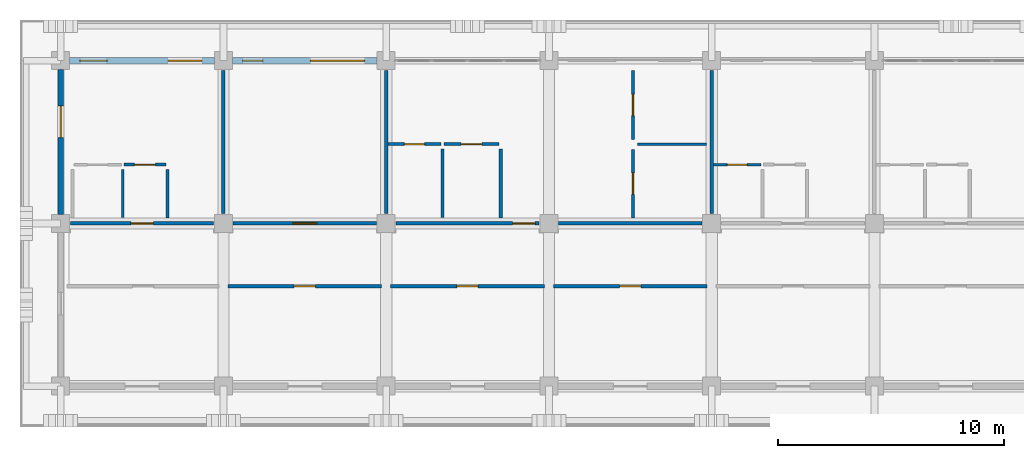
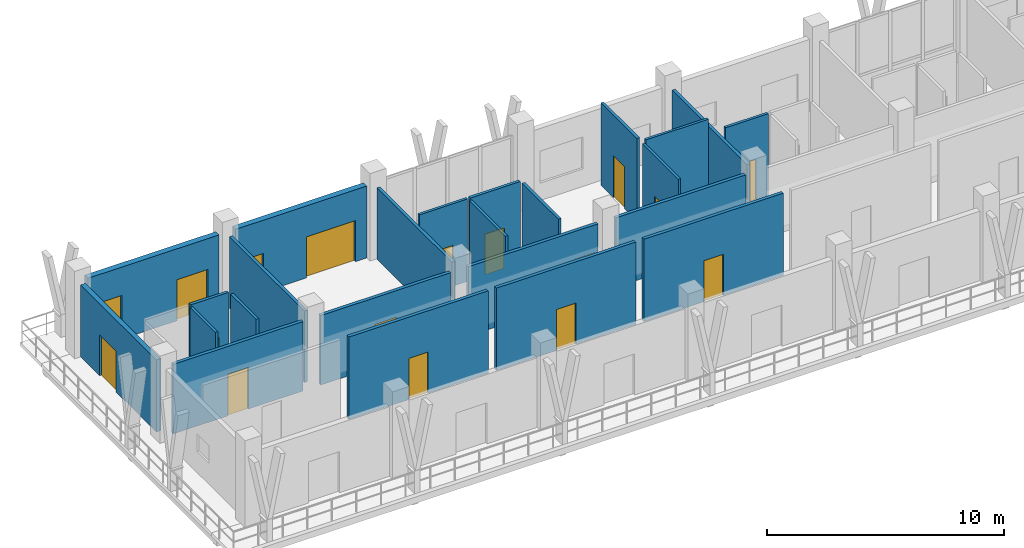
# One storey, part 73 of 110: 24 walls, 15 doors, 2 windows, 17 openings.
"""IFC4 building model written with IfcOpenShell, lengths in metres."""

from ifc_helpers import new_model, si_unit, direction, frame, frame_2d, origin, place, context, subcontext, project, spatial, rectangle, extrude, material, layer, layer_set, type_object, element, fill, save


model = new_model("IFC4")

# Units and contexts
model_context = context("Model", 3, precision=1e-05, world=origin(), true_north=direction((0.0, 1.0)))
body_context = subcontext(model_context, "Body", "Model", "MODEL_VIEW")
ifc_project = project(units=[si_unit("LENGTHUNIT", "METRE"), si_unit("AREAUNIT", "SQUARE_METRE"), si_unit("VOLUMEUNIT", "CUBIC_METRE"), si_unit("PLANEANGLEUNIT", "RADIAN"), si_unit("MASSUNIT", "GRAM", prefix="KILO")], contexts=[model_context])

# Site, building, storey
site_placement = place(None, origin())
site = spatial("IfcSite", under=ifc_project, at=site_placement, CompositionType="ELEMENT")
building_placement = place(site_placement, origin())
building = spatial("IfcBuilding", under=site, at=building_placement, Name="Suanplinth Sawtooth Commons", CompositionType="ELEMENT")
storey_placement = place(building_placement, frame((0.0, 0.0, 4.5)))
storey = spatial("IfcBuildingStorey", under=building, at=storey_placement, Name="L01", CompositionType="ELEMENT", Elevation=4.5)

# Wall, openings, door, window
ifc_material_1 = material(Name="Precast concrete C40/50", Category="concrete")
ifc_layer_1 = layer(ifc_material_1, 0.280029296875, Name="Insulated precast architectural facade wall 280mm")
ifc_layer_set_1 = layer_set([ifc_layer_1], Name="Precast concrete C40/50")
wall_type_1 = type_object("IfcWallType", Name="W-EX01", PredefinedType="ELEMENTEDWALL", material=ifc_layer_set_1)
wall_1_placement = place(storey_placement, frame((0.39990234375, 122.39990234375, 0.0), z_axis=(0.0, 0.0, 1.0), x_axis=(1.0, 0.0, 0.0)))
wall_1 = element("IfcWall", 1, at=wall_1_placement, inside=storey, type_object=wall_type_1, Name="Facade Wall W-L01-A-N-0", PredefinedType="ELEMENTEDWALL", context=body_context, shape_type="SweptSolid", body=[
    extrude(rectangle(XDim=6.400146484375, YDim=0.280029296875, at=frame_2d((3.2001953125, 0.0))), origin(), (0.0, 0.0, 1.0), 3.715087890625),
])
opening_1_placement = place(wall_1_placement, frame((4.35009765625, 0.0, 0.0)))
opening_1 = element("IfcOpeningElement", 2, at=opening_1_placement, cuts=wall_1, Name="Opening ED0039", PredefinedType="OPENING", context=body_context, shape_type="SweptSolid", body=[
    extrude(rectangle(XDim=1.5, YDim=2.1201171875, at=frame_2d((0.75, 1.06005859375))), frame((0.0, 0.15478515625, 0.0), z_axis=(0.0, -1.0, 0.0), x_axis=(1.0, 0.0, 0.0)), (0.0, 0.0, 1.0), 0.309814453125),
])
opening_2_placement = place(wall_1_placement, frame((0.449951171875, 0.0, 0.89990234375)))
opening_2 = element("IfcOpeningElement", 3, at=opening_2_placement, cuts=wall_1, Name="Opening W0168", PredefinedType="OPENING", context=body_context, shape_type="SweptSolid", body=[
    extrude(rectangle(XDim=1.199951171875, YDim=1.35009765625, at=frame_2d((0.60009765625, 0.675048828125))), frame((0.0, 0.15478515625, 0.0), z_axis=(0.0, -1.0, 0.0), x_axis=(1.0, 0.0, 0.0)), (0.0, 0.0, 1.0), 0.309814453125),
])
ifc_material_2 = material(Name="Anodized aluminium and low-E glass", Category="aluminium")
door_type_1 = type_object("IfcDoorType", Name="SD-03", OperationType="SLIDING_TO_LEFT", PredefinedType="DOOR", material=ifc_material_2)
door_1_placement = place(opening_1_placement, frame((1.5, 0.0, 0.0), z_axis=(0.0, 0.0, 1.0), x_axis=(-1.0, 0.0, 0.0)))
door_1 = element("IfcDoor", 4, at=door_1_placement, inside=storey, type_object=door_type_1, Name="Balcony Sliding Door L01-A-N-0", OperationType="SLIDING_TO_LEFT", OverallHeight=2.1201171875, OverallWidth=1.5, PredefinedType="DOOR", context=body_context, shape_type="SweptSolid", body=[
    extrude(rectangle(XDim=1.5, YDim=2.1201171875, at=frame_2d((0.75, 1.06005859375))), frame((0.0, 0.02490234375, 0.0), z_axis=(0.0, -1.0, 0.0), x_axis=(1.0, 0.0, 0.0)), (0.0, 0.0, 1.0), 0.050048828125),
])
fill(opening_1, door_1)
ifc_material_3 = material(Name="Thermally broken aluminium and low-E double glazing", Category="aluminium")
window_type_1 = type_object("IfcWindowType", Name="WN-03", PartitioningType="SINGLE_PANEL", PredefinedType="WINDOW", material=ifc_material_3)
window_1_placement = place(opening_2_placement, origin())
window_1 = element("IfcWindow", 5, at=window_1_placement, inside=storey, type_object=window_type_1, Name="Window L01-A-N-0", OverallHeight=1.35009765625, OverallWidth=1.199951171875, PartitioningType="SINGLE_PANEL", PredefinedType="WINDOW", context=body_context, shape_type="SweptSolid", body=[
    extrude(rectangle(XDim=1.199951171875, YDim=1.35009765625, at=frame_2d((0.60009765625, 0.675048828125))), frame((0.0, 0.030029296875, 0.0), z_axis=(0.0, -1.0, 0.0), x_axis=(1.0, 0.0, 0.0)), (0.0, 0.0, 1.0), 0.06005859375),
])
fill(opening_2, window_1)

wall_2_placement = place(storey_placement, frame((7.60009765625, 122.39990234375, 0.0), z_axis=(0.0, 0.0, 1.0), x_axis=(1.0, 0.0, 0.0)))
wall_2 = element("IfcWall", 6, at=wall_2_placement, inside=storey, type_object=wall_type_1, Name="Facade Wall W-L01-A-N-1", PredefinedType="ELEMENTEDWALL", context=body_context, shape_type="SweptSolid", body=[
    extrude(rectangle(XDim=6.39990234375, YDim=0.280029296875, at=frame_2d((3.199951171875, 0.0))), origin(), (0.0, 0.0, 1.0), 3.715087890625),
])
opening_3_placement = place(wall_2_placement, frame((3.449951171875, 0.0, 0.0)))
opening_3 = element("IfcOpeningElement", 7, at=opening_3_placement, cuts=wall_2, Name="Opening ED0041", PredefinedType="OPENING", context=body_context, shape_type="SweptSolid", body=[
    extrude(rectangle(XDim=2.39990234375, YDim=2.1201171875, at=frame_2d((1.199951171875, 1.06005859375))), frame((0.0, 0.15478515625, 0.0), z_axis=(0.0, -1.0, 0.0), x_axis=(1.0, 0.0, 0.0)), (0.0, 0.0, 1.0), 0.309814453125),
])
opening_4_placement = place(wall_2_placement, frame((0.449951171875, 0.0, 0.89990234375)))
opening_4 = element("IfcOpeningElement", 8, at=opening_4_placement, cuts=wall_2, Name="Opening W0169", PredefinedType="OPENING", context=body_context, shape_type="SweptSolid", body=[
    extrude(rectangle(XDim=0.89990234375, YDim=1.10009765625, at=frame_2d((0.449951171875, 0.550048828125))), frame((0.0, 0.15478515625, 0.0), z_axis=(0.0, -1.0, 0.0), x_axis=(1.0, 0.0, 0.0)), (0.0, 0.0, 1.0), 0.309814453125),
])
door_type_2 = type_object("IfcDoorType", Name="SD-04", OperationType="DOUBLE_DOOR_SLIDING", PredefinedType="DOOR", material=ifc_material_2)
door_2_placement = place(opening_3_placement, frame((2.39990234375, 0.0, 0.0), z_axis=(0.0, 0.0, 1.0), x_axis=(-1.0, 0.0, 0.0)))
door_2 = element("IfcDoor", 9, at=door_2_placement, inside=storey, type_object=door_type_2, Name="Balcony Sliding Door L01-A-N-1", OperationType="DOUBLE_DOOR_SLIDING", OverallHeight=2.1201171875, OverallWidth=2.39990234375, PredefinedType="DOOR", context=body_context, shape_type="SweptSolid", body=[
    extrude(rectangle(XDim=2.39990234375, YDim=2.1201171875, at=frame_2d((1.199951171875, 1.06005859375))), frame((0.0, 0.02490234375, 0.0), z_axis=(0.0, -1.0, 0.0), x_axis=(1.0, 0.0, 0.0)), (0.0, 0.0, 1.0), 0.050048828125),
])
fill(opening_3, door_2)
window_type_2 = type_object("IfcWindowType", Name="WN-04", PartitioningType="SINGLE_PANEL", PredefinedType="WINDOW", material=ifc_material_3)
window_2_placement = place(opening_4_placement, origin())
window_2 = element("IfcWindow", 10, at=window_2_placement, inside=storey, type_object=window_type_2, Name="Window L01-A-N-1", OverallHeight=1.10009765625, OverallWidth=0.89990234375, PartitioningType="SINGLE_PANEL", PredefinedType="WINDOW", context=body_context, shape_type="SweptSolid", body=[
    extrude(rectangle(XDim=0.89990234375, YDim=1.10009765625, at=frame_2d((0.449951171875, 0.550048828125))), frame((0.0, 0.030029296875, 0.0), z_axis=(0.0, -1.0, 0.0), x_axis=(1.0, 0.0, 0.0)), (0.0, 0.0, 1.0), 0.06005859375),
])
fill(opening_4, window_2)

# Wall, opening, door
ifc_layer_2 = layer(ifc_material_1, 0.22998046875, Name="Stepped terrace insulated precast wall 230mm")
ifc_layer_set_2 = layer_set([ifc_layer_2], Name="Precast concrete C40/50")
wall_type_2 = type_object("IfcWallType", Name="W-EX06", PredefinedType="ELEMENTEDWALL", material=ifc_layer_set_2)
wall_3_placement = place(storey_placement, frame((0.0, 115.60009765625, 0.0), z_axis=(0.0, 0.0, 1.0), x_axis=(0.0, 1.0, 0.0)))
wall_3 = element("IfcWall", 11, at=wall_3_placement, inside=storey, type_object=wall_type_2, Name="End Wall W-L01-A-W-16", PredefinedType="ELEMENTEDWALL", context=body_context, shape_type="SweptSolid", body=[
    extrude(rectangle(XDim=6.39990234375, YDim=0.22998046875, at=frame_2d((3.199951171875, 0.0))), origin(), (0.0, 0.0, 1.0), 3.715087890625),
])
opening_5_placement = place(wall_3_placement, frame((3.39990234375, 0.0, 0.0)))
opening_5 = element("IfcOpeningElement", 12, at=opening_5_placement, cuts=wall_3, Name="Opening ED0063", PredefinedType="OPENING", context=body_context, shape_type="SweptSolid", body=[
    extrude(rectangle(XDim=1.39990234375, YDim=2.10009765625, at=frame_2d((0.699951171875, 1.050048828125))), frame((0.0, 0.1298828125, 0.0), z_axis=(0.0, -1.0, 0.0), x_axis=(1.0, 0.0, 0.0)), (0.0, 0.0, 1.0), 0.259765625),
])
door_type_3 = type_object("IfcDoorType", Name="SD-07", OperationType="SLIDING_TO_RIGHT", PredefinedType="DOOR", material=ifc_material_2)
door_3_placement = place(opening_5_placement, frame((1.39990234375, 0.0, 0.0), z_axis=(0.0, 0.0, 1.0), x_axis=(-1.0, 0.0, 0.0)))
door_3 = element("IfcDoor", 13, at=door_3_placement, inside=storey, type_object=door_type_3, Name="L01 Block A W End Balcony Door", OperationType="SLIDING_TO_RIGHT", OverallHeight=2.10009765625, OverallWidth=1.39990234375, PredefinedType="DOOR", context=body_context, shape_type="SweptSolid", body=[
    extrude(rectangle(XDim=1.39990234375, YDim=2.10009765625, at=frame_2d((0.699951171875, 1.050048828125))), frame((0.0, 0.02490234375, 0.0), z_axis=(0.0, -1.0, 0.0), x_axis=(1.0, 0.0, 0.0)), (0.0, 0.0, 1.0), 0.050048828125),
])
fill(opening_5, door_3)

ifc_layer_3 = layer(ifc_material_1, 0.159912109375, Name="Fire-rated corridor and lobby wall 160mm")
ifc_layer_set_3 = layer_set([ifc_layer_3], Name="Precast concrete C40/50")
wall_type_3 = type_object("IfcWallType", Name="W-FW01", PredefinedType="PARTITIONING", material=ifc_layer_set_3)
wall_4_placement = place(storey_placement, frame((0.429931640625, 115.199951171875, 0.0), z_axis=(0.0, 0.0, 1.0), x_axis=(1.0, 0.0, 0.0)))
wall_4 = element("IfcWall", 14, at=wall_4_placement, inside=storey, type_object=wall_type_3, Name="W-A-L01-U01-COR", PredefinedType="PARTITIONING", context=body_context, shape_type="SweptSolid", body=[
    extrude(rectangle(XDim=6.340087890625, YDim=0.159912109375, at=frame_2d((3.169921875, 0.0))), origin(), (0.0, 0.0, 1.0), 3.5849609375),
])
opening_6_placement = place(wall_4_placement, frame((2.669921875, 0.0, 0.0)))
opening_6 = element("IfcOpeningElement", 15, at=opening_6_placement, cuts=wall_4, Name="Opening FD0524", PredefinedType="OPENING", context=body_context, shape_type="SweptSolid", body=[
    extrude(rectangle(XDim=1.0, YDim=2.14990234375, at=frame_2d((0.5, 1.074951171875))), frame((0.0, 0.0947265625, 0.0), z_axis=(0.0, -1.0, 0.0), x_axis=(1.0, 0.0, 0.0)), (0.0, 0.0, 1.0), 0.189697265625),
])
ifc_material_4 = material(Name="Teak hardwood fire-rated door assembly", Category="wood")
door_type_4 = type_object("IfcDoorType", Name="FD-03", OperationType="NOTDEFINED", PredefinedType="DOOR", material=ifc_material_4)
door_4_placement = place(opening_6_placement, origin())
door_4 = element("IfcDoor", 16, at=door_4_placement, inside=storey, type_object=door_type_4, Name="Unit Entrance Door FD0524", OperationType="SINGLE_SWING_RIGHT", OverallHeight=2.14990234375, OverallWidth=1.0, PredefinedType="DOOR", context=body_context, shape_type="SweptSolid", body=[
    extrude(rectangle(XDim=1.0, YDim=2.14990234375, at=frame_2d((0.5, 1.074951171875))), frame((0.0, 0.02490234375, 0.0), z_axis=(0.0, -1.0, 0.0), x_axis=(1.0, 0.0, 0.0)), (0.0, 0.0, 1.0), 0.050048828125),
])
fill(opening_6, door_4)

wall_5_placement = place(storey_placement, frame((7.6298828125, 115.199951171875, 0.0), z_axis=(0.0, 0.0, 1.0), x_axis=(1.0, 0.0, 0.0)))
wall_5 = element("IfcWall", 17, at=wall_5_placement, inside=storey, type_object=wall_type_3, Name="W-A-L01-U02-COR", PredefinedType="PARTITIONING", context=body_context, shape_type="SweptSolid", body=[
    extrude(rectangle(XDim=6.340087890625, YDim=0.159912109375, at=frame_2d((3.169921875, 0.0))), origin(), (0.0, 0.0, 1.0), 3.5849609375),
])
opening_7_placement = place(wall_5_placement, frame((2.64501953125, 0.0, 0.0)))
opening_7 = element("IfcOpeningElement", 18, at=opening_7_placement, cuts=wall_5, Name="Opening D0527", PredefinedType="OPENING", context=body_context, shape_type="SweptSolid", body=[
    extrude(rectangle(XDim=1.050048828125, YDim=2.199951171875, at=frame_2d((0.52490234375, 1.10009765625))), frame((0.0, 0.0947265625, 0.0), z_axis=(0.0, -1.0, 0.0), x_axis=(1.0, 0.0, 0.0)), (0.0, 0.0, 1.0), 0.189697265625),
])
ifc_material_5 = material(Name="Teak hardwood", Category="wood")
door_type_5 = type_object("IfcDoorType", Name="D-05", OperationType="NOTDEFINED", PredefinedType="DOOR", material=ifc_material_5)
door_5_placement = place(opening_7_placement, origin())
door_5 = element("IfcDoor", 19, at=door_5_placement, inside=storey, type_object=door_type_5, Name="Unit Entrance Door D0527", OperationType="SINGLE_SWING_LEFT", OverallHeight=2.199951171875, OverallWidth=1.050048828125, PredefinedType="DOOR", context=body_context, shape_type="SweptSolid", body=[
    extrude(rectangle(XDim=1.050048828125, YDim=2.199951171875, at=frame_2d((0.52490234375, 1.10009765625))), frame((0.0, 0.02490234375, 0.0), z_axis=(0.0, -1.0, 0.0), x_axis=(1.0, 0.0, 0.0)), (0.0, 0.0, 1.0), 0.050048828125),
])
fill(opening_7, door_5)

wall_6_placement = place(storey_placement, frame((14.830078125, 115.199951171875, 0.0), z_axis=(0.0, 0.0, 1.0), x_axis=(1.0, 0.0, 0.0)))
wall_6 = element("IfcWall", 20, at=wall_6_placement, inside=storey, type_object=wall_type_3, Name="W-A-L01-U03-COR-S1", PredefinedType="PARTITIONING", context=body_context, shape_type="SweptSolid", body=[
    extrude(rectangle(XDim=6.33984375, YDim=0.159912109375, at=frame_2d((3.169921875, 0.0))), origin(), (0.0, 0.0, 1.0), 3.5849609375),
])
opening_8_placement = place(wall_6_placement, frame((5.159912109375, 0.0, 0.0)))
opening_8 = element("IfcOpeningElement", 21, at=opening_8_placement, cuts=wall_6, Name="Opening FD0528", PredefinedType="OPENING", context=body_context, shape_type="SweptSolid", body=[
    extrude(rectangle(XDim=1.0, YDim=2.14990234375, at=frame_2d((0.5, 1.074951171875))), frame((0.0, 0.0947265625, 0.0), z_axis=(0.0, -1.0, 0.0), x_axis=(1.0, 0.0, 0.0)), (0.0, 0.0, 1.0), 0.189697265625),
])
door_6_placement = place(opening_8_placement, origin())
door_6 = element("IfcDoor", 22, at=door_6_placement, inside=storey, type_object=door_type_4, Name="Unit Entrance Door FD0528", OperationType="SINGLE_SWING_RIGHT", OverallHeight=2.14990234375, OverallWidth=1.0, PredefinedType="DOOR", context=body_context, shape_type="SweptSolid", body=[
    extrude(rectangle(XDim=1.0, YDim=2.14990234375, at=frame_2d((0.5, 1.074951171875))), frame((0.0, 0.02490234375, 0.0), z_axis=(0.0, -1.0, 0.0), x_axis=(1.0, 0.0, 0.0)), (0.0, 0.0, 1.0), 0.050048828125),
])
fill(opening_8, door_6)

# Wall
wall_7_placement = place(storey_placement, frame((22.030029296875, 115.199951171875, 0.0), z_axis=(0.0, 0.0, 1.0), x_axis=(1.0, 0.0, 0.0)))
element("IfcWall", 23, at=wall_7_placement, inside=storey, type_object=wall_type_3, Name="W-A-L01-U03-COR-S2", PredefinedType="PARTITIONING", context=body_context, shape_type="SweptSolid", body=[
    extrude(rectangle(XDim=6.340087890625, YDim=0.159912109375, at=frame_2d((3.169921875, 0.0))), origin(), (0.0, 0.0, 1.0), 3.5849609375),
])

# Wall, opening, door
wall_8_placement = place(storey_placement, frame((7.39990234375, 112.419921875, 0.0), z_axis=(0.0, 0.0, 1.0), x_axis=(1.0, 0.0, 0.0)))
wall_8 = element("IfcWall", 24, at=wall_8_placement, inside=storey, type_object=wall_type_3, Name="W-A-L01-COURTROOM-14-COR", PredefinedType="PARTITIONING", context=body_context, shape_type="SweptSolid", body=[
    extrude(rectangle(XDim=6.800048828125, YDim=0.159912109375, at=frame_2d((3.39990234375, 0.0))), origin(), (0.0, 0.0, 1.0), 4.25),
])
opening_9_placement = place(wall_8_placement, frame((2.929931640625, 0.0, 0.0)))
opening_9 = element("IfcOpeningElement", 25, at=opening_9_placement, cuts=wall_8, Name="Opening D0568", PredefinedType="OPENING", context=body_context, shape_type="SweptSolid", body=[
    extrude(rectangle(XDim=0.93994140625, YDim=2.1201171875, at=frame_2d((0.469970703125, 1.06005859375))), frame((0.0, 0.0947265625, 0.0), z_axis=(0.0, -1.0, 0.0), x_axis=(1.0, 0.0, 0.0)), (0.0, 0.0, 1.0), 0.189697265625),
])
door_type_6 = type_object("IfcDoorType", Name="D-15", OperationType="NOTDEFINED", PredefinedType="DOOR", material=ifc_material_5)
door_7_placement = place(opening_9_placement, frame((0.93994140625, 0.0, 0.0), z_axis=(0.0, 0.0, 1.0), x_axis=(-1.0, 0.0, 0.0)))
door_7 = element("IfcDoor", 26, at=door_7_placement, inside=storey, type_object=door_type_6, Name="Study Studio Door D0568", OperationType="SINGLE_SWING_RIGHT", OverallHeight=2.1201171875, OverallWidth=0.93994140625, PredefinedType="DOOR", context=body_context, shape_type="SweptSolid", body=[
    extrude(rectangle(XDim=0.93994140625, YDim=2.1201171875, at=frame_2d((0.469970703125, 1.06005859375))), frame((0.0, 0.02490234375, 0.0), z_axis=(0.0, -1.0, 0.0), x_axis=(1.0, 0.0, 0.0)), (0.0, 0.0, 1.0), 0.050048828125),
])
fill(opening_9, door_7)

wall_9_placement = place(storey_placement, frame((14.60009765625, 112.419921875, 0.0), z_axis=(0.0, 0.0, 1.0), x_axis=(1.0, 0.0, 0.0)))
wall_9 = element("IfcWall", 27, at=wall_9_placement, inside=storey, type_object=wall_type_3, Name="W-A-L01-COURTROOM-15-COR", PredefinedType="PARTITIONING", context=body_context, shape_type="SweptSolid", body=[
    extrude(rectangle(XDim=6.7998046875, YDim=0.159912109375, at=frame_2d((3.39990234375, 0.0))), origin(), (0.0, 0.0, 1.0), 4.25),
])
opening_10_placement = place(wall_9_placement, frame((2.929931640625, 0.0, 0.0)))
opening_10 = element("IfcOpeningElement", 28, at=opening_10_placement, cuts=wall_9, Name="Opening D0569", PredefinedType="OPENING", context=body_context, shape_type="SweptSolid", body=[
    extrude(rectangle(XDim=0.93994140625, YDim=2.1201171875, at=frame_2d((0.469970703125, 1.06005859375))), frame((0.0, 0.0947265625, 0.0), z_axis=(0.0, -1.0, 0.0), x_axis=(1.0, 0.0, 0.0)), (0.0, 0.0, 1.0), 0.189697265625),
])
door_8_placement = place(opening_10_placement, frame((0.93994140625, 0.0, 0.0), z_axis=(0.0, 0.0, 1.0), x_axis=(-1.0, 0.0, 0.0)))
door_8 = element("IfcDoor", 29, at=door_8_placement, inside=storey, type_object=door_type_6, Name="Study Studio Door D0569", OperationType="SINGLE_SWING_LEFT", OverallHeight=2.1201171875, OverallWidth=0.93994140625, PredefinedType="DOOR", context=body_context, shape_type="SweptSolid", body=[
    extrude(rectangle(XDim=0.93994140625, YDim=2.1201171875, at=frame_2d((0.469970703125, 1.06005859375))), frame((0.0, 0.02490234375, 0.0), z_axis=(0.0, -1.0, 0.0), x_axis=(1.0, 0.0, 0.0)), (0.0, 0.0, 1.0), 0.050048828125),
])
fill(opening_10, door_8)

wall_10_placement = place(storey_placement, frame((21.800048828125, 112.419921875, 0.0), z_axis=(0.0, 0.0, 1.0), x_axis=(1.0, 0.0, 0.0)))
wall_10 = element("IfcWall", 30, at=wall_10_placement, inside=storey, type_object=wall_type_3, Name="W-A-L01-COURTROOM-16-COR", PredefinedType="PARTITIONING", context=body_context, shape_type="SweptSolid", body=[
    extrude(rectangle(XDim=6.800048828125, YDim=0.159912109375, at=frame_2d((3.39990234375, 0.0))), origin(), (0.0, 0.0, 1.0), 4.25),
])
opening_11_placement = place(wall_10_placement, frame((2.929931640625, 0.0, 0.0)))
opening_11 = element("IfcOpeningElement", 31, at=opening_11_placement, cuts=wall_10, Name="Opening D0570", PredefinedType="OPENING", context=body_context, shape_type="SweptSolid", body=[
    extrude(rectangle(XDim=0.93994140625, YDim=2.1201171875, at=frame_2d((0.469970703125, 1.06005859375))), frame((0.0, 0.0947265625, 0.0), z_axis=(0.0, -1.0, 0.0), x_axis=(1.0, 0.0, 0.0)), (0.0, 0.0, 1.0), 0.189697265625),
])
door_9_placement = place(opening_11_placement, frame((0.93994140625, 0.0, 0.0), z_axis=(0.0, 0.0, 1.0), x_axis=(-1.0, 0.0, 0.0)))
door_9 = element("IfcDoor", 32, at=door_9_placement, inside=storey, type_object=door_type_6, Name="Study Studio Door D0570", OperationType="SINGLE_SWING_RIGHT", OverallHeight=2.1201171875, OverallWidth=0.93994140625, PredefinedType="DOOR", context=body_context, shape_type="SweptSolid", body=[
    extrude(rectangle(XDim=0.93994140625, YDim=2.1201171875, at=frame_2d((0.469970703125, 1.06005859375))), frame((0.0, 0.02490234375, 0.0), z_axis=(0.0, -1.0, 0.0), x_axis=(1.0, 0.0, 0.0)), (0.0, 0.0, 1.0), 0.050048828125),
])
fill(opening_11, door_9)

# Walls
ifc_layer_4 = layer(ifc_material_1, 0.14990234375, Name="Acoustic precast party demising wall 150mm")
ifc_layer_set_4 = layer_set([ifc_layer_4], Name="Precast concrete C40/50")
wall_type_4 = type_object("IfcWallType", Name="W-FW02", PredefinedType="PARTITIONING", material=ifc_layer_set_4)
for number, where, z_axis, x_axis, name in (
    (33, (7.199951171875, 115.6298828125, 0.0), (0.0, 0.0, 1.0), (0.0, 1.0, 0.0), "W-A-L01-U01-PTY"),
    (34, (14.39990234375, 115.6298828125, 0.0), (0.0, 0.0, 1.0), (0.0, 1.0, 0.0), "W-A-L01-U02-PTY"),
    (35, (28.800048828125, 115.6298828125, 0.0), (0.0, 0.0, 1.0), (0.0, 1.0, 0.0), "W-A-L01-U03-PTY"),
):
    element("IfcWall", number, at=place(storey_placement, frame(where, z_axis=z_axis, x_axis=x_axis)), inside=storey, type_object=wall_type_4, Name=name, PredefinedType="PARTITIONING", context=body_context, shape_type="SweptSolid", body=[
        extrude(rectangle(XDim=6.340087890625, YDim=0.14990234375, at=frame_2d((3.169921875, 0.0))), origin(), (0.0, 0.0, 1.0), 3.68505859375),
    ])

# Wall, opening, door
ifc_material_6 = material(Name="Gypsum plasterboard on steel stud", Category="steel")
ifc_layer_5 = layer(ifc_material_6, 0.139892578125, Name="Fire-rated kitchen partition 140mm")
ifc_layer_set_5 = layer_set([ifc_layer_5], Name="Gypsum plasterboard on steel stud")
wall_type_5 = type_object("IfcWallType", Name="W-PT01", PredefinedType="PARTITIONING", material=ifc_layer_set_5)
wall_11_placement = place(storey_placement, frame((2.800048828125, 117.800048828125, 0.0), z_axis=(0.0, 0.0, 1.0), x_axis=(1.0, 0.0, 0.0)))
wall_11 = element("IfcWall", 36, at=wall_11_placement, inside=storey, type_object=wall_type_5, Name="W-A-L01-U01-KIT1", PredefinedType="PARTITIONING", context=body_context, shape_type="SweptSolid", body=[
    extrude(rectangle(XDim=1.849853515625, YDim=0.139892578125, at=frame_2d((0.9248046875, 0.0))), origin(), (0.0, 0.0, 1.0), 4.25),
])
opening_12_placement = place(wall_11_placement, frame((0.465087890625, 0.0, 0.0)))
opening_12 = element("IfcOpeningElement", 37, at=opening_12_placement, cuts=wall_11, Name="Opening D0526", PredefinedType="OPENING", context=body_context, shape_type="SweptSolid", body=[
    extrude(rectangle(XDim=0.919921875, YDim=2.10009765625, at=frame_2d((0.4599609375, 1.050048828125))), frame((0.0, 0.0849609375, 0.0), z_axis=(0.0, -1.0, 0.0), x_axis=(1.0, 0.0, 0.0)), (0.0, 0.0, 1.0), 0.169677734375),
])
door_type_7 = type_object("IfcDoorType", Name="D-02", OperationType="NOTDEFINED", PredefinedType="DOOR", material=ifc_material_5)
door_10_placement = place(opening_12_placement, frame((0.919921875, 0.0, 0.0), z_axis=(0.0, 0.0, 1.0), x_axis=(-1.0, 0.0, 0.0)))
door_10 = element("IfcDoor", 38, at=door_10_placement, inside=storey, type_object=door_type_7, Name="Kitchen Door D0526", OperationType="SINGLE_SWING_RIGHT", OverallHeight=2.10009765625, OverallWidth=0.919921875, PredefinedType="DOOR", context=body_context, shape_type="SweptSolid", body=[
    extrude(rectangle(XDim=0.919921875, YDim=2.10009765625, at=frame_2d((0.4599609375, 1.050048828125))), frame((0.0, 0.02490234375, 0.0), z_axis=(0.0, -1.0, 0.0), x_axis=(1.0, 0.0, 0.0)), (0.0, 0.0, 1.0), 0.050048828125),
])
fill(opening_12, door_10)

# Wall
wall_12_placement = place(storey_placement, frame((4.719970703125, 115.429931640625, 0.0), z_axis=(0.0, 0.0, 1.0), x_axis=(0.0, 1.0, 0.0)))
element("IfcWall", 39, at=wall_12_placement, inside=storey, type_object=wall_type_5, Name="W-A-L01-U01-KIT2", PredefinedType="PARTITIONING", context=body_context, shape_type="SweptSolid", body=[
    extrude(rectangle(XDim=2.150146484375, YDim=0.139892578125, at=frame_2d((1.0751953125, 0.0))), origin(), (0.0, 0.0, 1.0), 4.25),
])

# Wall, opening, door
wall_13_placement = place(storey_placement, frame((16.949951171875, 118.7099609375, 0.0), z_axis=(0.0, 0.0, 1.0), x_axis=(1.0, 0.0, 0.0)))
wall_13 = element("IfcWall", 40, at=wall_13_placement, inside=storey, type_object=wall_type_5, Name="W-A-L01-U03-KIT1", PredefinedType="PARTITIONING", context=body_context, shape_type="SweptSolid", body=[
    extrude(rectangle(XDim=2.449951171875, YDim=0.139892578125, at=frame_2d((1.22509765625, 0.0))), origin(), (0.0, 0.0, 1.0), 4.25),
])
opening_13_placement = place(wall_13_placement, frame((0.764892578125, 0.0, 0.0)))
opening_13 = element("IfcOpeningElement", 41, at=opening_13_placement, cuts=wall_13, Name="Opening D0530", PredefinedType="OPENING", context=body_context, shape_type="SweptSolid", body=[
    extrude(rectangle(XDim=0.919921875, YDim=2.10009765625, at=frame_2d((0.4599609375, 1.050048828125))), frame((0.0, 0.0849609375, 0.0), z_axis=(0.0, -1.0, 0.0), x_axis=(1.0, 0.0, 0.0)), (0.0, 0.0, 1.0), 0.169677734375),
])
door_11_placement = place(opening_13_placement, frame((0.919921875, 0.0, 0.0), z_axis=(0.0, 0.0, 1.0), x_axis=(-1.0, 0.0, 0.0)))
door_11 = element("IfcDoor", 42, at=door_11_placement, inside=storey, type_object=door_type_7, Name="Kitchen Door D0530", OperationType="SINGLE_SWING_RIGHT", OverallHeight=2.10009765625, OverallWidth=0.919921875, PredefinedType="DOOR", context=body_context, shape_type="SweptSolid", body=[
    extrude(rectangle(XDim=0.919921875, YDim=2.10009765625, at=frame_2d((0.4599609375, 1.050048828125))), frame((0.0, 0.02490234375, 0.0), z_axis=(0.0, -1.0, 0.0), x_axis=(1.0, 0.0, 0.0)), (0.0, 0.0, 1.0), 0.050048828125),
])
fill(opening_13, door_11)

# Walls
wall_14_placement = place(storey_placement, frame((19.469970703125, 115.429931640625, 0.0), z_axis=(0.0, 0.0, 1.0), x_axis=(0.0, 1.0, 0.0)))
element("IfcWall", 43, at=wall_14_placement, inside=storey, type_object=wall_type_5, Name="W-A-L01-U03-KIT2", PredefinedType="PARTITIONING", context=body_context, shape_type="SweptSolid", body=[
    extrude(rectangle(XDim=3.06005859375, YDim=0.139892578125, at=frame_2d((1.530029296875, 0.0))), origin(), (0.0, 0.0, 1.0), 4.25),
])
ifc_layer_6 = layer(ifc_material_6, 0.1298828125, Name="Moisture-resistant bathroom partition 130mm")
ifc_layer_set_6 = layer_set([ifc_layer_6], Name="Gypsum plasterboard on steel stud")
wall_type_6 = type_object("IfcWallType", Name="W-PT02", PredefinedType="PARTITIONING", material=ifc_layer_set_6)
wall_15_placement = place(storey_placement, frame((2.7451171875, 115.4599609375, 0.0), z_axis=(0.0, 0.0, 1.0), x_axis=(0.0, 1.0, 0.0)))
element("IfcWall", 44, at=wall_15_placement, inside=storey, type_object=wall_type_6, Name="W-A-L01-U01-BTH2", PredefinedType="PARTITIONING", context=body_context, shape_type="SweptSolid", body=[
    extrude(rectangle(XDim=2.130126953125, YDim=0.1298828125, at=frame_2d((1.06494140625, 0.0))), origin(), (0.0, 0.0, 1.0), 4.25),
])

# Wall, opening, door
wall_16_placement = place(storey_placement, frame((14.47998046875, 118.705078125, 0.0), z_axis=(0.0, 0.0, 1.0), x_axis=(1.0, 0.0, 0.0)))
wall_16 = element("IfcWall", 45, at=wall_16_placement, inside=storey, type_object=wall_type_6, Name="W-A-L01-U03-BTH1", PredefinedType="PARTITIONING", context=body_context, shape_type="SweptSolid", body=[
    extrude(rectangle(XDim=2.35009765625, YDim=0.1298828125, at=frame_2d((1.175048828125, 0.0))), origin(), (0.0, 0.0, 1.0), 4.25),
])
opening_14_placement = place(wall_16_placement, frame((0.72509765625, 0.0, 0.0)))
opening_14 = element("IfcOpeningElement", 46, at=opening_14_placement, cuts=wall_16, Name="Opening D0529", PredefinedType="OPENING", context=body_context, shape_type="SweptSolid", body=[
    extrude(rectangle(XDim=0.89990234375, YDim=2.10009765625, at=frame_2d((0.449951171875, 1.050048828125))), frame((0.0, 0.079833984375, 0.0), z_axis=(0.0, -1.0, 0.0), x_axis=(1.0, 0.0, 0.0)), (0.0, 0.0, 1.0), 0.15966796875),
])
door_type_8 = type_object("IfcDoorType", Name="D-01", OperationType="NOTDEFINED", PredefinedType="DOOR", material=ifc_material_5)
door_12_placement = place(opening_14_placement, frame((0.89990234375, 0.0, 0.0), z_axis=(0.0, 0.0, 1.0), x_axis=(-1.0, 0.0, 0.0)))
door_12 = element("IfcDoor", 47, at=door_12_placement, inside=storey, type_object=door_type_8, Name="Bathroom Door D0529", OperationType="SINGLE_SWING_LEFT", OverallHeight=2.10009765625, OverallWidth=0.89990234375, PredefinedType="DOOR", context=body_context, shape_type="SweptSolid", body=[
    extrude(rectangle(XDim=0.89990234375, YDim=2.10009765625, at=frame_2d((0.449951171875, 1.050048828125))), frame((0.0, 0.02490234375, 0.0), z_axis=(0.0, -1.0, 0.0), x_axis=(1.0, 0.0, 0.0)), (0.0, 0.0, 1.0), 0.050048828125),
])
fill(opening_14, door_12)

# Wall
wall_17_placement = place(storey_placement, frame((16.89501953125, 115.4599609375, 0.0), z_axis=(0.0, 0.0, 1.0), x_axis=(0.0, 1.0, 0.0)))
element("IfcWall", 48, at=wall_17_placement, inside=storey, type_object=wall_type_6, Name="W-A-L01-U03-BTH2", PredefinedType="PARTITIONING", context=body_context, shape_type="SweptSolid", body=[
    extrude(rectangle(XDim=3.0400390625, YDim=0.1298828125, at=frame_2d((1.52001953125, 0.0))), origin(), (0.0, 0.0, 1.0), 4.25),
])

# Wall, opening, door
wall_18_placement = place(storey_placement, frame((28.8798828125, 117.794921875, 0.0), z_axis=(0.0, 0.0, 1.0), x_axis=(1.0, 0.0, 0.0)))
wall_18 = element("IfcWall", 49, at=wall_18_placement, inside=storey, type_object=wall_type_6, Name="W-A-L01-U04-BTH1", PredefinedType="PARTITIONING", context=body_context, shape_type="SweptSolid", body=[
    extrude(rectangle(XDim=2.10009765625, YDim=0.1298828125, at=frame_2d((1.050048828125, 0.0))), origin(), (0.0, 0.0, 1.0), 4.25),
])
opening_15_placement = place(wall_18_placement, frame((0.610107421875, 0.0, 0.0)))
opening_15 = element("IfcOpeningElement", 50, at=opening_15_placement, cuts=wall_18, Name="Opening D0534", PredefinedType="OPENING", context=body_context, shape_type="SweptSolid", body=[
    extrude(rectangle(XDim=0.8798828125, YDim=2.10009765625, at=frame_2d((0.43994140625, 1.050048828125))), frame((0.0, 0.079833984375, 0.0), z_axis=(0.0, -1.0, 0.0), x_axis=(1.0, 0.0, 0.0)), (0.0, 0.0, 1.0), 0.15966796875),
])
door_type_9 = type_object("IfcDoorType", Name="D-14", OperationType="NOTDEFINED", PredefinedType="DOOR", material=ifc_material_5)
door_13_placement = place(opening_15_placement, frame((0.8798828125, 0.0, 0.0), z_axis=(0.0, 0.0, 1.0), x_axis=(-1.0, 0.0, 0.0)))
door_13 = element("IfcDoor", 51, at=door_13_placement, inside=storey, type_object=door_type_9, Name="Bathroom Door D0534", OperationType="SINGLE_SWING_RIGHT", OverallHeight=2.10009765625, OverallWidth=0.8798828125, PredefinedType="DOOR", context=body_context, shape_type="SweptSolid", body=[
    extrude(rectangle(XDim=0.8798828125, YDim=2.10009765625, at=frame_2d((0.43994140625, 1.050048828125))), frame((0.0, 0.02490234375, 0.0), z_axis=(0.0, -1.0, 0.0), x_axis=(1.0, 0.0, 0.0)), (0.0, 0.0, 1.0), 0.050048828125),
])
fill(opening_15, door_13)

ifc_layer_7 = layer(ifc_material_6, 0.1201171875, Name="Acoustic bedroom partition 120mm")
ifc_layer_set_7 = layer_set([ifc_layer_7], Name="Gypsum plasterboard on steel stud")
wall_type_7 = type_object("IfcWallType", Name="W-PT03", PredefinedType="PARTITIONING", material=ifc_layer_set_7)
wall_19_placement = place(storey_placement, frame((25.320068359375, 115.43994140625, 0.0), z_axis=(0.0, 0.0, 1.0), x_axis=(0.0, 1.0, 0.0)))
wall_19 = element("IfcWall", 52, at=wall_19_placement, inside=storey, type_object=wall_type_7, Name="W-A-L01-U03-BED2", PredefinedType="PARTITIONING", context=body_context, shape_type="SweptSolid", body=[
    extrude(rectangle(XDim=3.0400390625, YDim=0.1201171875, at=frame_2d((1.52001953125, 0.0))), origin(), (0.0, 0.0, 1.0), 4.25),
])
opening_16_placement = place(wall_19_placement, frame((1.0400390625, 0.0, 0.0)))
opening_16 = element("IfcOpeningElement", 53, at=opening_16_placement, cuts=wall_19, Name="Opening D0532", PredefinedType="OPENING", context=body_context, shape_type="SweptSolid", body=[
    extrude(rectangle(XDim=0.9599609375, YDim=2.14990234375, at=frame_2d((0.47998046875, 1.074951171875))), frame((0.0, 0.074951171875, 0.0), z_axis=(0.0, -1.0, 0.0), x_axis=(1.0, 0.0, 0.0)), (0.0, 0.0, 1.0), 0.14990234375),
])
door_type_10 = type_object("IfcDoorType", Name="D-13", OperationType="NOTDEFINED", PredefinedType="DOOR", material=ifc_material_5)
door_14_placement = place(opening_16_placement, frame((0.9599609375, 0.0, 0.0), z_axis=(0.0, 0.0, 1.0), x_axis=(-1.0, 0.0, 0.0)))
door_14 = element("IfcDoor", 54, at=door_14_placement, inside=storey, type_object=door_type_10, Name="Second Bedroom Door D0532", OperationType="SINGLE_SWING_RIGHT", OverallHeight=2.14990234375, OverallWidth=0.9599609375, PredefinedType="DOOR", context=body_context, shape_type="SweptSolid", body=[
    extrude(rectangle(XDim=0.9599609375, YDim=2.14990234375, at=frame_2d((0.47998046875, 1.074951171875))), frame((0.0, 0.02490234375, 0.0), z_axis=(0.0, -1.0, 0.0), x_axis=(1.0, 0.0, 0.0)), (0.0, 0.0, 1.0), 0.050048828125),
])
fill(opening_16, door_14)

# Wall
ifc_layer_8 = layer(ifc_material_6, 0.125, Name="Acoustic study partition 125mm")
ifc_layer_set_8 = layer_set([ifc_layer_8], Name="Gypsum plasterboard on steel stud")
wall_type_8 = type_object("IfcWallType", Name="W-PT06", PredefinedType="PARTITIONING", material=ifc_layer_set_8)
wall_20_placement = place(storey_placement, frame((25.52001953125, 118.699951171875, 0.0), z_axis=(0.0, 0.0, 1.0), x_axis=(1.0, 0.0, 0.0)))
element("IfcWall", 55, at=wall_20_placement, inside=storey, type_object=wall_type_8, Name="W-A-L01-U03-BEDDIV", PredefinedType="PARTITIONING", context=body_context, shape_type="SweptSolid", body=[
    extrude(rectangle(XDim=3.06005859375, YDim=0.125, at=frame_2d((1.530029296875, 0.0))), origin(), (0.0, 0.0, 1.0), 4.25),
])

# Wall, opening, door
ifc_layer_9 = layer(ifc_material_6, 0.135009765625, Name="Insulated bedroom demising partition 135mm")
ifc_layer_set_9 = layer_set([ifc_layer_9], Name="Gypsum plasterboard on steel stud")
wall_type_9 = type_object("IfcWallType", Name="W-PT07", PredefinedType="PARTITIONING", material=ifc_layer_set_9)
wall_21_placement = place(storey_placement, frame((25.320068359375, 118.919921875, 0.0), z_axis=(0.0, 0.0, 1.0), x_axis=(0.0, 1.0, 0.0)))
wall_21 = element("IfcWall", 56, at=wall_21_placement, inside=storey, type_object=wall_type_9, Name="W-A-L01-U03-BED1", PredefinedType="PARTITIONING", context=body_context, shape_type="SweptSolid", body=[
    extrude(rectangle(XDim=3.0400390625, YDim=0.135009765625, at=frame_2d((1.52001953125, 0.0))), origin(), (0.0, 0.0, 1.0), 4.25),
])
opening_17_placement = place(wall_21_placement, frame((1.044921875, 0.0, 0.0)))
opening_17 = element("IfcOpeningElement", 57, at=opening_17_placement, cuts=wall_21, Name="Opening D0531", PredefinedType="OPENING", context=body_context, shape_type="SweptSolid", body=[
    extrude(rectangle(XDim=0.949951171875, YDim=2.14990234375, at=frame_2d((0.47509765625, 1.074951171875))), frame((0.0, 0.08251953125, 0.0), z_axis=(0.0, -1.0, 0.0), x_axis=(1.0, 0.0, 0.0)), (0.0, 0.0, 1.0), 0.164794921875),
])
door_type_11 = type_object("IfcDoorType", Name="D-03", OperationType="NOTDEFINED", PredefinedType="DOOR", material=ifc_material_5)
door_15_placement = place(opening_17_placement, frame((0.949951171875, 0.0, 0.0), z_axis=(0.0, 0.0, 1.0), x_axis=(-1.0, 0.0, 0.0)))
door_15 = element("IfcDoor", 58, at=door_15_placement, inside=storey, type_object=door_type_11, Name="Bedroom Door D0531", OperationType="SINGLE_SWING_LEFT", OverallHeight=2.14990234375, OverallWidth=0.949951171875, PredefinedType="DOOR", context=body_context, shape_type="SweptSolid", body=[
    extrude(rectangle(XDim=0.949951171875, YDim=2.14990234375, at=frame_2d((0.47509765625, 1.074951171875))), frame((0.0, 0.02490234375, 0.0), z_axis=(0.0, -1.0, 0.0), x_axis=(1.0, 0.0, 0.0)), (0.0, 0.0, 1.0), 0.050048828125),
])
fill(opening_17, door_15)

save(model, "model.ifc")
